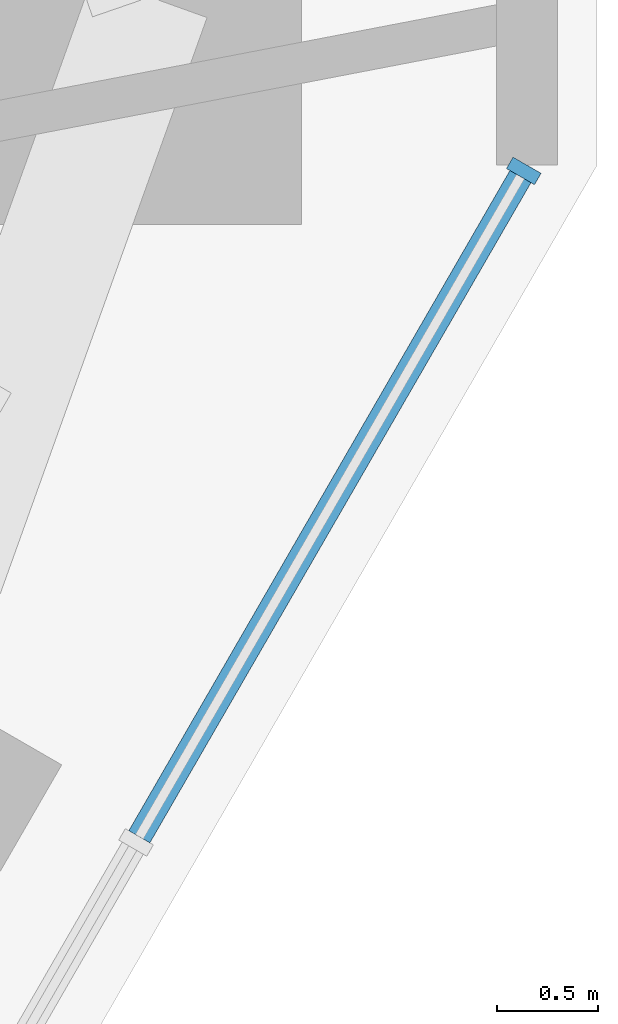
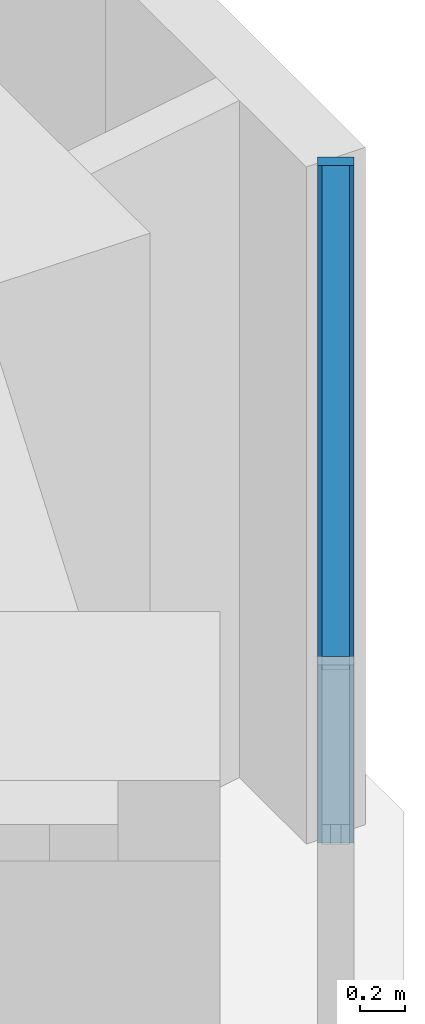
# One storey, part 6 of 17: 2 members, 1 element without a shape of its own.
"""IFC4 building model written with IfcOpenShell, lengths in metres."""

import ifcopenshell
import ifcopenshell.guid

model = None  # the IFC model being written
_history = None  # IfcOwnerHistory: only IFC2X3 demands one
_inside = {}  # id of a spatial element -> (the spatial element, [elements in it])
_under = {}  # id of a project, library or spatial element -> (it, [spatial elements below it])
_declared = {}  # id of a project -> (the project, [libraries it declares])
_typed = {}  # id of a type object -> (the type object, [elements of that type])
_made_of = {}  # id of a material, layer set ... -> (it, [elements and type objects made of it])


def new_model(schema):
    """Start an empty IFC model of exactly this schema.

    Asked for "IFC4X3", IfcOpenShell would pick the latest addendum, in which some entities
    have other attributes; the version numbers below select the first issue.
    IFC2X3 requires an IfcOwnerHistory on every rooted entity: one is made here for all.
    """
    global model, _history
    if schema == "IFC4X3":
        model = ifcopenshell.file(schema_version=(4, 3, 0, 0))
    else:
        model = ifcopenshell.file(schema=schema)
    _inside.clear()
    _under.clear()
    _declared.clear()
    _typed.clear()
    _made_of.clear()
    _history = None
    if model.schema == "IFC2X3":
        org = make("IfcOrganization", Name="unknown")
        user = make(
            "IfcPersonAndOrganization",
            ThePerson=make("IfcPerson", FamilyName="unknown"),
            TheOrganization=org,
        )
        app = make(
            "IfcApplication",
            ApplicationDeveloper=org,
            Version="unknown",
            ApplicationFullName="unknown",
            ApplicationIdentifier="unknown",
        )
        _history = make(
            "IfcOwnerHistory",
            OwningUser=user,
            OwningApplication=app,
            ChangeAction="ADDED",
            CreationDate=0,
        )
    return model


def make(cls, **values):
    """One entity of the class cls with the attributes given. An attribute that is None is left unset."""
    return model.create_entity(
        cls, **{name: value for name, value in values.items() if value is not None}
    )


def rooted(cls, **values):
    """An entity with a GlobalId (a new one), such as an element, a storey or a relation."""
    return make(cls, GlobalId=ifcopenshell.guid.new(), OwnerHistory=_history, **values)


def si_unit(unit_type, name, prefix=None):
    """IfcSIUnit, for example si_unit("LENGTHUNIT", "METRE", prefix="MILLI")."""
    return make("IfcSIUnit", UnitType=unit_type, Prefix=prefix, Name=name)


def assignment(units):
    """IfcUnitAssignment: the units of a project."""
    return None if units is None else make("IfcUnitAssignment", Units=units)


def point(xyz):
    """IfcCartesianPoint."""
    return None if xyz is None else make("IfcCartesianPoint", Coordinates=xyz)


def direction(xyz):
    """IfcDirection."""
    return None if xyz is None else make("IfcDirection", DirectionRatios=xyz)


def frame(location, z_axis=None, x_axis=None):
    """IfcAxis2Placement3D, a coordinate frame: its origin and axes. An axis left out is left unset."""
    return make(
        "IfcAxis2Placement3D",
        Location=point(location),
        Axis=direction(z_axis),
        RefDirection=direction(x_axis),
    )


def frame_2d(location, x_axis=None):
    """IfcAxis2Placement2D, a coordinate frame in the plane: its origin and x axis."""
    return make(
        "IfcAxis2Placement2D", Location=point(location), RefDirection=direction(x_axis)
    )


def origin():
    """The frame at (0, 0, 0) with its axes left unset."""
    return frame((0.0, 0.0, 0.0))


def origin_2d():
    """The frame at (0, 0) in the plane with its x axis left unset."""
    return frame_2d((0.0, 0.0))


def place(relative_to, where):
    """IfcLocalPlacement: puts the frame where relative to a parent placement (None: the world)."""
    return make(
        "IfcLocalPlacement", PlacementRelTo=relative_to, RelativePlacement=where
    )


def context(
    kind, dimensions, precision=None, world=None, true_north=None, identifier=None
):
    """IfcGeometricRepresentationContext, for example the 3D "Model" context."""
    return make(
        "IfcGeometricRepresentationContext",
        ContextIdentifier=identifier,
        ContextType=kind,
        CoordinateSpaceDimension=dimensions,
        Precision=precision,
        WorldCoordinateSystem=world,
        TrueNorth=true_north,
    )


def subcontext(parent, identifier, kind, view, scale=None):
    """IfcGeometricRepresentationSubContext, for example "Body" below "Model"."""
    return make(
        "IfcGeometricRepresentationSubContext",
        ContextIdentifier=identifier,
        ContextType=kind,
        ParentContext=parent,
        TargetScale=scale,
        TargetView=view,
    )


def project(units=None, contexts=None):
    """IfcProject with its units and contexts."""
    return rooted(
        "IfcProject",
        Name="project",
        RepresentationContexts=contexts,
        UnitsInContext=assignment(units),
    )


def spatial(cls, under=None, at=None, **own):
    """A site, building, storey or space (cls), placed at a placement, below another one or the project."""
    s = rooted(cls, ObjectPlacement=at, **own)
    if under is not None:
        _under.setdefault(under.id(), (under, []))[1].append(s)
    return s


def profile(cls, at=None, kind="AREA", **sizes):
    """A parametric profile (cls). Its sizes go by their IFC names, for example OverallWidth=200.0."""
    return make(cls, ProfileType=kind, Position=at, **sizes)


def rectangle(**sizes):
    """IfcRectangleProfileDef."""
    return profile("IfcRectangleProfileDef", **sizes)


def extrude(swept, where, along, depth):
    """IfcExtrudedAreaSolid: the profile swept, set in the frame where, extruded along a direction by depth."""
    return make(
        "IfcExtrudedAreaSolid",
        SweptArea=swept,
        Position=where,
        ExtrudedDirection=direction(along),
        Depth=depth,
    )


def shape(context_of_items, identifier, shape_type, items):
    """IfcShapeRepresentation: the items that make up one representation, for example the "Body"."""
    return make(
        "IfcShapeRepresentation",
        ContextOfItems=context_of_items,
        RepresentationIdentifier=identifier,
        RepresentationType=shape_type,
        Items=items,
    )


def material(Name=None, Category=None):
    """IfcMaterial."""
    return make("IfcMaterial", Name=Name, Category=Category)


def material_profile(
    of_material, cross_section, Name=None, Category=None, Priority=None
):
    """IfcMaterialProfile: a cross section and its material."""
    return make(
        "IfcMaterialProfile",
        Name=Name,
        Material=of_material,
        Profile=cross_section,
        Priority=Priority,
        Category=Category,
    )


def profile_set(profiles, Name=None, composite=None):
    """IfcMaterialProfileSet."""
    return make(
        "IfcMaterialProfileSet",
        Name=Name,
        MaterialProfiles=profiles,
        CompositeProfile=composite,
    )


def made_of(thing, what):
    """Note that an element or type object is made of a material, layer set ...; save() writes the relation."""
    if what is not None:
        _made_of.setdefault(what.id(), (what, []))[1].append(thing)
    return thing


def type_object(cls, material=None, **own):
    """A type object (cls), such as IfcWallType, which elements share."""
    return made_of(rooted(cls, **own), material)


def element(
    cls,
    number,
    at=None,
    inside=None,
    cuts=None,
    type_object=None,
    material=None,
    context=None,
    identifier="Body",
    shape_type=None,
    held_by="IfcProductDefinitionShape",
    body=None,
    shapes=None,
    **own,
):
    """One element of the class cls, such as IfcWall. Its Tag is "e" and its number.

    at: its placement. inside: the storey or other place that contains it. cuts: it is an
    opening in that element (IfcRelVoidsElement). A single representation is given by context,
    identifier, shape_type and body (its items); several are given by shapes. held_by: the class
    of the entity that holds the representations. save() writes the other relations.
    """
    e = rooted(cls, Tag="e%d" % number, ObjectPlacement=at, **own)
    if body is not None:
        shapes = [shape(context, identifier, shape_type, body)]
    if shapes is not None:
        e.Representation = make(held_by, Representations=shapes)
    if inside is not None:
        _inside.setdefault(inside.id(), (inside, []))[1].append(e)
    if cuts is not None:
        rooted(
            "IfcRelVoidsElement", RelatingBuildingElement=cuts, RelatedOpeningElement=e
        )
    if type_object is not None:
        _typed.setdefault(type_object.id(), (type_object, []))[1].append(e)
    return made_of(e, material)


def aggregate(whole, parts):
    """IfcRelAggregates: a whole, such as a stair, and the parts it consists of."""
    return rooted("IfcRelAggregates", RelatingObject=whole, RelatedObjects=parts)


def save(model, path):
    """Write the relations noted so far, then the file.

    IfcRelAggregates (storeys below a building ...), IfcRelContainedInSpatialStructure (elements
    in a storey), IfcRelDefinesByType, IfcRelAssociatesMaterial and IfcRelDeclares: one each for
    every whole, place, type object, material and project.
    """
    for whole, parts in _under.values():
        aggregate(whole, parts)
    for where, things in _inside.values():
        rooted(
            "IfcRelContainedInSpatialStructure",
            RelatedElements=things,
            RelatingStructure=where,
        )
    for kind, things in _typed.values():
        rooted("IfcRelDefinesByType", RelatedObjects=things, RelatingType=kind)
    for what, things in _made_of.values():
        rooted("IfcRelAssociatesMaterial", RelatedObjects=things, RelatingMaterial=what)
    for by, libraries in _declared.values():
        rooted("IfcRelDeclares", RelatingContext=by, RelatedDefinitions=libraries)
    model.write(path)


model = new_model("IFC4")

# Units and contexts
model_context = context("Model", 3, precision=1e-05, world=origin(), true_north=direction((0.0, 1.0)))
body_context = subcontext(model_context, "Body", "Model", "MODEL_VIEW")
ifc_project = project(units=[si_unit("LENGTHUNIT", "METRE"), si_unit("AREAUNIT", "SQUARE_METRE"), si_unit("VOLUMEUNIT", "CUBIC_METRE"), si_unit("PLANEANGLEUNIT", "RADIAN"), si_unit("MASSUNIT", "GRAM", prefix="KILO")], contexts=[model_context])

# Site, building, storey
site_placement = place(None, origin())
site = spatial("IfcSite", under=ifc_project, at=site_placement, CompositionType="ELEMENT")
building_placement = place(site_placement, origin())
building = spatial("IfcBuilding", under=site, at=building_placement, Name="Sandreach Pilgrim Tower", CompositionType="ELEMENT")
storey_placement = place(building_placement, frame((0.0, 0.0, 221.199951171875)))
storey = spatial("IfcBuildingStorey", under=building, at=storey_placement, Name="L55", CompositionType="ELEMENT", Elevation=221.199951171875)

# Curtain wall, members
ifc_material_1 = material(Name="Aluminium framed curtain wall", Category="aluminium")
curtain_wall_type = type_object("IfcCurtainWallType", Name="Upper hotel tower curtain wall", PredefinedType="NOTDEFINED", material=ifc_material_1)
curtain_wall_placement = place(storey_placement, origin())
curtain_wall = element("IfcCurtainWall", 1, at=curtain_wall_placement, inside=storey, type_object=curtain_wall_type, Name="CW-3 L55 SE", PredefinedType="NOTDEFINED")
ifc_material_2 = material(Name="Aluminium extrusion", Category="aluminium")
ifc_material_profile_1 = material_profile(ifc_material_2, rectangle(XDim=0.06494140625, YDim=0.159912109375, at=origin_2d()), Name="CW-3M 65X160")
ifc_profile_set_1 = profile_set([ifc_material_profile_1], Name="Aluminium extrusion")
member_type_1 = type_object("IfcMemberType", Name="CW-3 mullion", PredefinedType="MULLION", material=ifc_profile_set_1)
member_1_placement = place(storey_placement, frame((27.00390625, 4.451904296875, 0.0), z_axis=(0.0, 0.0, 1.0), x_axis=(-0.5, -0.866025403784, 0.0)))
member_1 = element("IfcMember", 2, at=member_1_placement, type_object=member_type_1, Name="CW-3 mullion 1", PredefinedType="MULLION", context=body_context, shape_type="SweptSolid", body=[
    extrude(rectangle(XDim=0.06494140625, YDim=0.159912109375, at=origin_2d()), origin(), (0.0, 0.0, 1.0), 3.64013671875),
])
ifc_material_3 = material(Name="Aluminium extrusion", Category="aluminium")
ifc_material_profile_2 = material_profile(ifc_material_3, rectangle(XDim=0.1201171875, YDim=0.070068359375, at=origin_2d()), Name="CW-3T 120X70")
ifc_profile_set_2 = profile_set([ifc_material_profile_2], Name="Aluminium extrusion")
member_type_2 = type_object("IfcMemberType", Name="CW-3 transom", PredefinedType="USERDEFINED", material=ifc_profile_set_2)
member_2_placement = place(storey_placement, frame((26.987548828125, 4.423828125, 3.60498046875), z_axis=(-0.499944992379, -0.86605716012, 0.0), x_axis=(0.86605716012, -0.499944992379, 0.0)))
member_2 = element("IfcMember", 3, at=member_2_placement, type_object=member_type_2, Name="CW-3 head transom 1", ObjectType="TRANSOM", PredefinedType="USERDEFINED", context=body_context, shape_type="SweptSolid", body=[
    extrude(rectangle(XDim=0.1201171875, YDim=0.070068359375, at=origin_2d()), origin(), (0.0, 0.0, 1.0), 3.76708984375),
])
aggregate(curtain_wall, [member_1, member_2])

save(model, "model.ifc")
